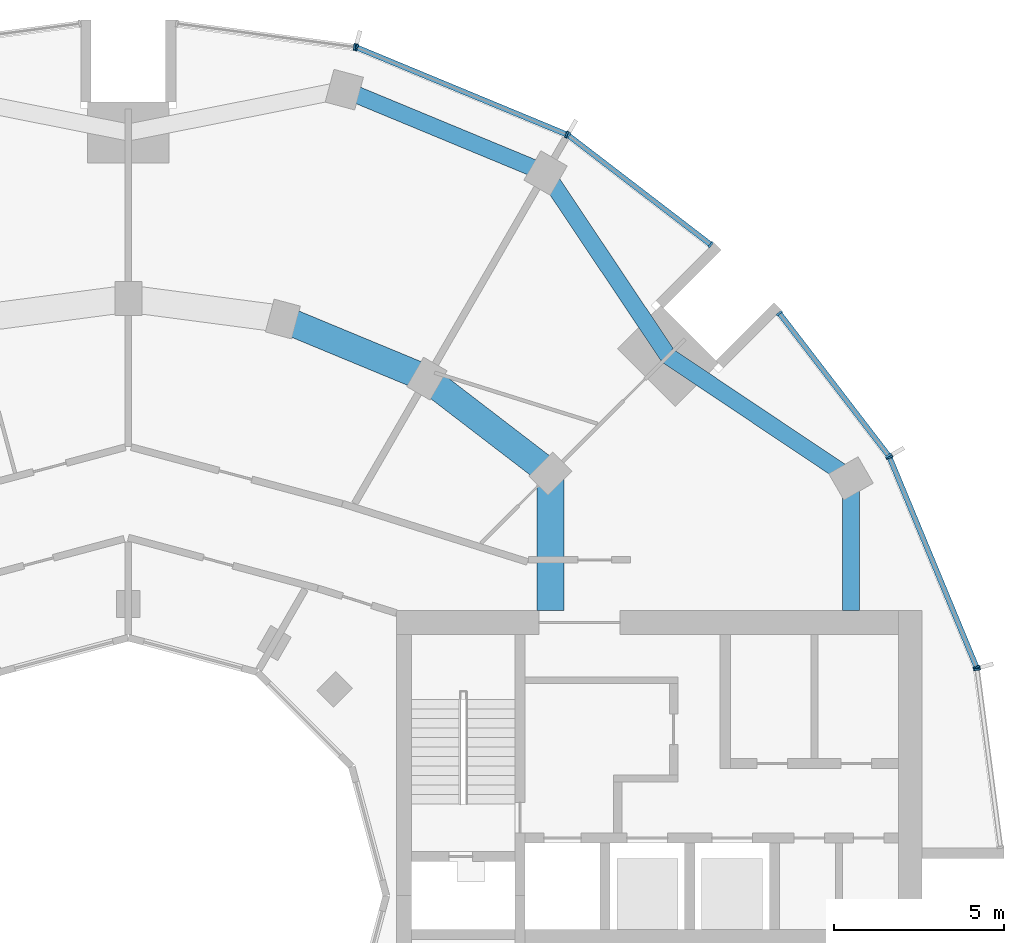
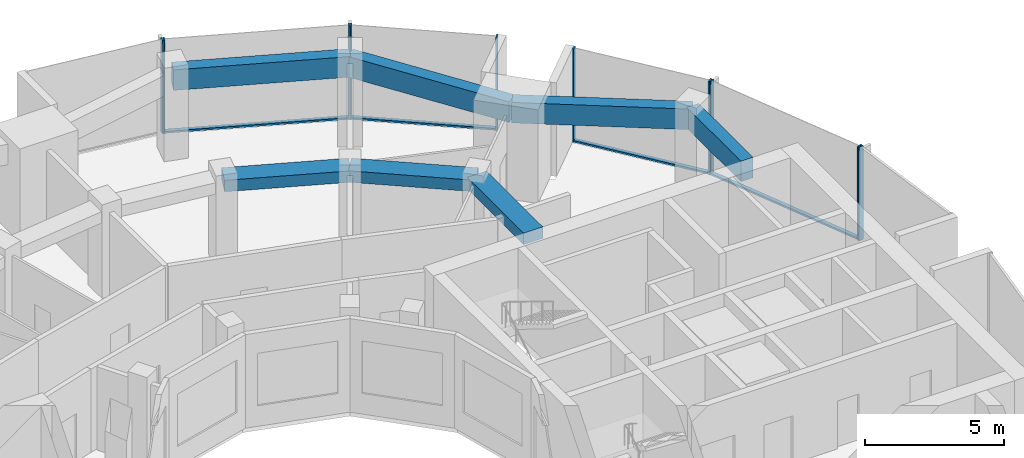
# One storey, part 6 of 15: 14 members, 7 beams, 6 elements without a shape of their own.
"""IFC4 building model written with IfcOpenShell, lengths in metres."""

from ifc_helpers import new_model, si_unit, direction, frame, origin, origin_2d, place, context, subcontext, project, spatial, rectangle, extrude, material, layer, layer_set, material_profile, profile_set, type_object, element, aggregate, save


model = new_model("IFC4")

# Units and contexts
model_context = context("Model", 3, precision=1e-05, world=origin(), true_north=direction((0.0, 1.0)))
body_context = subcontext(model_context, "Body", "Model", "MODEL_VIEW")
ifc_project = project(units=[si_unit("LENGTHUNIT", "METRE"), si_unit("AREAUNIT", "SQUARE_METRE"), si_unit("VOLUMEUNIT", "CUBIC_METRE"), si_unit("PLANEANGLEUNIT", "RADIAN"), si_unit("MASSUNIT", "GRAM", prefix="KILO")], contexts=[model_context])

# Site, building, storey
site_placement = place(None, origin())
site = spatial("IfcSite", under=ifc_project, at=site_placement, CompositionType="ELEMENT")
building_placement = place(site_placement, origin())
building = spatial("IfcBuilding", under=site, at=building_placement, Name="Torre Brocal", CompositionType="ELEMENT")
storey_placement = place(building_placement, frame((0.0, 0.0, 157.699951171875)))
storey = spatial("IfcBuildingStorey", under=building, at=storey_placement, Name="L36", CompositionType="ELEMENT", Elevation=157.699951171875)

# Curtain wall, members
ifc_material_1 = material(Name="Aluminium and glass", Category="aluminium")
ifc_layer_1 = layer(ifc_material_1, 0.199951171875)
ifc_layer_set_1 = layer_set([ifc_layer_1], Name="Aluminium and glass")
curtain_wall_type_1 = type_object("IfcCurtainWallType", Name="CW-1 CURTAIN WALL 4100 HIGH", PredefinedType="NOTDEFINED", material=ifc_layer_set_1)
curtain_wall_1_placement = place(storey_placement, origin())
curtain_wall_1 = element("IfcCurtainWall", 1, at=curtain_wall_1_placement, inside=storey, type_object=curtain_wall_type_1, Name="CW-1 RUN 2", PredefinedType="NOTDEFINED")
ifc_material_2 = material(Name="Aluminium, dark anodised", Category="aluminium")
ifc_material_profile_1 = material_profile(ifc_material_2, rectangle(XDim=0.199951171875, YDim=0.06005859375, at=origin_2d()), Name="CW-1 MULLION 60X200")
ifc_profile_set_1 = profile_set([ifc_material_profile_1], Name="Aluminium, dark anodised")
member_type_1 = type_object("IfcMemberType", Name="CW-1 MULLION 60X200", PredefinedType="MULLION", material=ifc_profile_set_1)
member_1_placement = place(storey_placement, frame((105.005126953125, 81.73095703125, 0.0), z_axis=(0.0, 0.0, 1.0), x_axis=(-0.923879532525, -0.382683432333, 0.0)))
member_1 = element("IfcMember", 2, at=member_1_placement, type_object=member_type_1, Name="CW1-4 mullion 1", PredefinedType="MULLION", context=body_context, shape_type="SweptSolid", body=[
    extrude(rectangle(XDim=0.199951171875, YDim=0.06005859375, at=origin_2d()), origin(), (0.0, 0.0, 1.0), 4.10009765625),
])
member_2_placement = place(storey_placement, frame((102.440673828125, 87.921875, 0.0), z_axis=(0.0, 0.0, 1.0), x_axis=(-0.923879532525, -0.382683432333, 0.0)))
member_2 = element("IfcMember", 3, at=member_2_placement, type_object=member_type_1, Name="CW1-4 mullion 2", PredefinedType="MULLION", context=body_context, shape_type="SweptSolid", body=[
    extrude(rectangle(XDim=0.199951171875, YDim=0.06005859375, at=origin_2d()), origin(), (0.0, 0.0, 1.0), 4.10009765625),
])

curtain_wall_2_placement = place(storey_placement, origin())
curtain_wall_2 = element("IfcCurtainWall", 4, at=curtain_wall_2_placement, inside=storey, type_object=curtain_wall_type_1, Name="CW-1 RUN 3", PredefinedType="NOTDEFINED")
member_3_placement = place(storey_placement, frame((102.4111328125, 87.973388671875, 0.0), z_axis=(0.0, 0.0, 1.0), x_axis=(-0.793353340259, -0.60876142905, 0.0)))
member_3 = element("IfcMember", 5, at=member_3_placement, type_object=member_type_1, Name="CW1-4 mullion 1", PredefinedType="MULLION", context=body_context, shape_type="SweptSolid", body=[
    extrude(rectangle(XDim=0.199951171875, YDim=0.06005859375, at=origin_2d()), origin(), (0.0, 0.0, 1.0), 4.10009765625),
])
member_4_placement = place(storey_placement, frame((99.19140625, 92.16943359375, 0.0), z_axis=(0.0, 0.0, 1.0), x_axis=(-0.793353340259, -0.60876142905, 0.0)))
member_4 = element("IfcMember", 6, at=member_4_placement, type_object=member_type_1, Name="CW1-4 mullion 2", PredefinedType="MULLION", context=body_context, shape_type="SweptSolid", body=[
    extrude(rectangle(XDim=0.199951171875, YDim=0.06005859375, at=origin_2d()), origin(), (0.0, 0.0, 1.0), 4.10009765625),
])

curtain_wall_3_placement = place(storey_placement, origin())
curtain_wall_3 = element("IfcCurtainWall", 7, at=curtain_wall_3_placement, inside=storey, type_object=curtain_wall_type_1, Name="CW-1 RUN 4", PredefinedType="NOTDEFINED")
member_5_placement = place(storey_placement, frame((97.16943359375, 94.19140625, 0.0), z_axis=(0.0, 0.0, 1.0), x_axis=(-0.60876142905, -0.793353340259, 0.0)))
member_5 = element("IfcMember", 8, at=member_5_placement, type_object=member_type_1, Name="CW1-4 mullion 1", PredefinedType="MULLION", context=body_context, shape_type="SweptSolid", body=[
    extrude(rectangle(XDim=0.199951171875, YDim=0.06005859375, at=origin_2d()), origin(), (0.0, 0.0, 1.0), 4.10009765625),
])
member_6_placement = place(storey_placement, frame((92.973388671875, 97.4111328125, 0.0), z_axis=(0.0, 0.0, 1.0), x_axis=(-0.60876142905, -0.793353340259, 0.0)))
member_6 = element("IfcMember", 9, at=member_6_placement, type_object=member_type_1, Name="CW1-4 mullion 2", PredefinedType="MULLION", context=body_context, shape_type="SweptSolid", body=[
    extrude(rectangle(XDim=0.199951171875, YDim=0.06005859375, at=origin_2d()), origin(), (0.0, 0.0, 1.0), 4.10009765625),
])

curtain_wall_4_placement = place(storey_placement, origin())
curtain_wall_4 = element("IfcCurtainWall", 10, at=curtain_wall_4_placement, inside=storey, type_object=curtain_wall_type_1, Name="CW-1 RUN 5", PredefinedType="NOTDEFINED")
member_7_placement = place(storey_placement, frame((92.921875, 97.440673828125, 0.0), z_axis=(0.0, 0.0, 1.0), x_axis=(-0.382683432333, -0.923879532525, 0.0)))
member_7 = element("IfcMember", 11, at=member_7_placement, type_object=member_type_1, Name="CW1-4 mullion 1", PredefinedType="MULLION", context=body_context, shape_type="SweptSolid", body=[
    extrude(rectangle(XDim=0.199951171875, YDim=0.06005859375, at=origin_2d()), origin(), (0.0, 0.0, 1.0), 4.10009765625),
])
member_8_placement = place(storey_placement, frame((86.73095703125, 100.005126953125, 0.0), z_axis=(0.0, 0.0, 1.0), x_axis=(-0.382683432333, -0.923879532525, 0.0)))
member_8 = element("IfcMember", 12, at=member_8_placement, type_object=member_type_1, Name="CW1-4 mullion 2", PredefinedType="MULLION", context=body_context, shape_type="SweptSolid", body=[
    extrude(rectangle(XDim=0.199951171875, YDim=0.06005859375, at=origin_2d()), origin(), (0.0, 0.0, 1.0), 4.10009765625),
])

# Curtain wall, member
curtain_wall_5_placement = place(storey_placement, origin())
curtain_wall_5 = element("IfcCurtainWall", 13, at=curtain_wall_5_placement, inside=storey, type_object=curtain_wall_type_1, Name="CW-1 RUN 6", PredefinedType="NOTDEFINED")
member_9_placement = place(storey_placement, frame((86.67333984375, 100.0205078125, 0.0), z_axis=(0.0, 0.0, 1.0), x_axis=(-0.13052619222, -0.991444861374, 0.0)))
member_9 = element("IfcMember", 14, at=member_9_placement, type_object=member_type_1, Name="CW1-4 mullion 1", PredefinedType="MULLION", context=body_context, shape_type="SweptSolid", body=[
    extrude(rectangle(XDim=0.199951171875, YDim=0.06005859375, at=origin_2d()), origin(), (0.0, 0.0, 1.0), 4.10009765625),
])
aggregate(curtain_wall_5, [member_9])

# Member
ifc_material_3 = material(Name="Aluminium, dark anodised", Category="aluminium")
ifc_material_profile_2 = material_profile(ifc_material_3, rectangle(XDim=0.159912109375, YDim=0.080078125, at=origin_2d()), Name="CW-1 TRANSOM 160X80")
ifc_profile_set_2 = profile_set([ifc_material_profile_2], Name="Aluminium, dark anodised")
member_type_2 = type_object("IfcMemberType", Name="CW-1 TRANSOM 160X80", PredefinedType="USERDEFINED", material=ifc_profile_set_2)
member_10_placement = place(storey_placement, frame((104.99365234375, 81.758544921875, 0.0400390625), z_axis=(-0.38266457234, 0.923887344364, 0.0), x_axis=(-0.923887344364, -0.38266457234, 0.0)))
member_10 = element("IfcMember", 15, at=member_10_placement, type_object=member_type_2, Name="CW1-4 transom 1.1", ObjectType="TRANSOM", PredefinedType="USERDEFINED", context=body_context, shape_type="SweptSolid", body=[
    extrude(rectangle(XDim=0.159912109375, YDim=0.080078125, at=origin_2d()), origin(), (0.0, 0.0, 1.0), 6.640869140625),
])

aggregate(curtain_wall_1, [member_1, member_2, member_10])

member_11_placement = place(storey_placement, frame((102.392822265625, 87.9970703125, 0.0400390625), z_axis=(-0.60874908096, 0.79336281513, 0.0), x_axis=(-0.79336281513, -0.60874908096, 0.0)))
member_11 = element("IfcMember", 16, at=member_11_placement, type_object=member_type_2, Name="CW1-4 transom 1.1", ObjectType="TRANSOM", PredefinedType="USERDEFINED", context=body_context, shape_type="SweptSolid", body=[
    extrude(rectangle(XDim=0.159912109375, YDim=0.080078125, at=origin_2d()), origin(), (0.0, 0.0, 1.0), 5.22900390625),
])

aggregate(curtain_wall_2, [member_3, member_4, member_11])

member_12_placement = place(storey_placement, frame((97.1455078125, 94.209716796875, 0.0400390625), z_axis=(-0.79336281513, 0.60874908096, 0.0), x_axis=(-0.60874908096, -0.79336281513, 0.0)))
member_12 = element("IfcMember", 17, at=member_12_placement, type_object=member_type_2, Name="CW1-4 transom 1.1", ObjectType="TRANSOM", PredefinedType="USERDEFINED", context=body_context, shape_type="SweptSolid", body=[
    extrude(rectangle(XDim=0.159912109375, YDim=0.080078125, at=origin_2d()), origin(), (0.0, 0.0, 1.0), 5.22900390625),
])

aggregate(curtain_wall_3, [member_5, member_6, member_12])

member_13_placement = place(storey_placement, frame((92.89404296875, 97.452392578125, 0.0400390625), z_axis=(-0.923887344364, 0.38266457234, 0.0), x_axis=(-0.38266457234, -0.923887344364, 0.0)))
member_13 = element("IfcMember", 18, at=member_13_placement, type_object=member_type_2, Name="CW1-4 transom 1.1", ObjectType="TRANSOM", PredefinedType="USERDEFINED", context=body_context, shape_type="SweptSolid", body=[
    extrude(rectangle(XDim=0.159912109375, YDim=0.080078125, at=origin_2d()), origin(), (0.0, 0.0, 1.0), 6.640869140625),
])

aggregate(curtain_wall_4, [member_7, member_8, member_13])

# Curtain wall, member
ifc_material_4 = material(Name="Aluminium and glass", Category="aluminium")
ifc_layer_2 = layer(ifc_material_4, 0.199951171875)
ifc_layer_set_2 = layer_set([ifc_layer_2], Name="Aluminium and glass")
curtain_wall_type_2 = type_object("IfcCurtainWallType", Name="CW-1B CURTAIN WALL 4100 HIGH", PredefinedType="NOTDEFINED", material=ifc_layer_set_2)
curtain_wall_6_placement = place(storey_placement, origin())
curtain_wall_6 = element("IfcCurtainWall", 19, at=curtain_wall_6_placement, inside=storey, type_object=curtain_wall_type_2, Name="CW-1B RUN 1", PredefinedType="NOTDEFINED")
ifc_material_5 = material(Name="Aluminium, dark anodised", Category="aluminium")
ifc_material_profile_3 = material_profile(ifc_material_5, rectangle(XDim=0.199951171875, YDim=0.06005859375, at=origin_2d()), Name="CW-1B MULLION 60X200")
ifc_profile_set_3 = profile_set([ifc_material_profile_3], Name="Aluminium, dark anodised")
member_type_3 = type_object("IfcMemberType", Name="CW-1B MULLION 60X200", PredefinedType="MULLION", material=ifc_profile_set_3)
member_14_placement = place(storey_placement, frame((105.0205078125, 81.67333984375, 0.0), z_axis=(0.0, 0.0, 1.0), x_axis=(-0.991444861374, -0.13052619222, 0.0)))
member_14 = element("IfcMember", 20, at=member_14_placement, type_object=member_type_3, Name="CW1B-4 mullion 2", PredefinedType="MULLION", context=body_context, shape_type="SweptSolid", body=[
    extrude(rectangle(XDim=0.199951171875, YDim=0.06005859375, at=origin_2d()), origin(), (0.0, 0.0, 1.0), 4.10009765625),
])
aggregate(curtain_wall_6, [member_14])

# Beams
ifc_material_6 = material(Name="Concrete C50", Category="concrete")
ifc_material_profile_4 = material_profile(ifc_material_6, rectangle(XDim=0.800048828125, YDim=0.5, at=origin_2d()), Name="RC 800X500")
ifc_profile_set_4 = profile_set([ifc_material_profile_4], Name="Concrete C50")
beam_type_1 = type_object("IfcBeamType", Name="RC BEAM 800X500 C50 TOP 3780", PredefinedType="BEAM", material=ifc_profile_set_4)
beam_1_placement = place(storey_placement, frame((92.445068359375, 87.445068359375, 3.530029296875), z_axis=(-0.793358265959, 0.6087550097, 0.0), x_axis=(-0.6087550097, -0.793358265959, 0.0)))
element("IfcBeam", 21, at=beam_1_placement, inside=storey, type_object=beam_type_1, Name="Beam BT-32", PredefinedType="BEAM", context=body_context, shape_type="SweptSolid", body=[
    extrude(rectangle(XDim=0.800048828125, YDim=0.5, at=origin_2d()), origin(), (0.0, 0.0, 1.0), 4.594482421875),
])
beam_2_placement = place(storey_placement, frame((88.800048828125, 90.241943359375, 3.530029296875), z_axis=(-0.923878240166, 0.382686552348, 0.0), x_axis=(-0.382686552348, -0.923878240166, 0.0)))
element("IfcBeam", 22, at=beam_2_placement, inside=storey, type_object=beam_type_1, Name="Beam BT-32", PredefinedType="BEAM", context=body_context, shape_type="SweptSolid", body=[
    extrude(rectangle(XDim=0.800048828125, YDim=0.5, at=origin_2d()), origin(), (0.0, 0.0, 1.0), 4.5947265625),
])
beam_3_placement = place(storey_placement, frame((92.445068359375, 87.445068359375, 3.530029296875), z_axis=(0.0, -1.0, 0.0), x_axis=(1.0, 0.0, 0.0)))
element("IfcBeam", 23, at=beam_3_placement, inside=storey, type_object=beam_type_1, Name="Beam BT-32", PredefinedType="BEAM", context=body_context, shape_type="SweptSolid", body=[
    extrude(rectangle(XDim=0.800048828125, YDim=0.5, at=origin_2d()), origin(), (0.0, 0.0, 1.0), 4.045166015625),
])
ifc_material_7 = material(Name="Concrete C50", Category="concrete")
ifc_material_profile_5 = material_profile(ifc_material_7, rectangle(XDim=0.5, YDim=0.89990234375, at=origin_2d()), Name="RC 500X900")
ifc_profile_set_5 = profile_set([ifc_material_profile_5], Name="Concrete C50")
beam_type_2 = type_object("IfcBeamType", Name="RC SPANDREL BEAM 500X900 C50 TOP 3780", PredefinedType="SPANDREL", material=ifc_profile_set_5)
for number, where, z_axis, x_axis, name in (
    (24, (101.30419921875, 87.300048828125, 3.330078125), (-0.831076844476, 0.556157602282, 0.0), (-0.556157602282, -0.831076844476, 0.0), "Beam BT-33"),
    (25, (95.909912109375, 90.909912109375, 3.330078125), (-0.556157602282, 0.831076844476, 0.0), (-0.831076844476, -0.556157602282, 0.0), "Beam BT-33"),
):
    element("IfcBeam", number, at=place(storey_placement, frame(where, z_axis=z_axis, x_axis=x_axis)), inside=storey, type_object=beam_type_2, Name=name, PredefinedType="SPANDREL", context=body_context, shape_type="SweptSolid", body=[
        extrude(rectangle(XDim=0.5, YDim=0.89990234375, at=origin_2d()), origin(), (0.0, 0.0, 1.0), 6.49072265625),
    ])
beam_4_placement = place(storey_placement, frame((92.300048828125, 96.30419921875, 3.330078125), z_axis=(-0.923882462513, 0.382676358639, 0.0), x_axis=(-0.382676358639, -0.923882462513, 0.0)))
element("IfcBeam", 26, at=beam_4_placement, inside=storey, type_object=beam_type_2, Name="Beam BT-33", PredefinedType="SPANDREL", context=body_context, shape_type="SweptSolid", body=[
    extrude(rectangle(XDim=0.5, YDim=0.89990234375, at=origin_2d()), origin(), (0.0, 0.0, 1.0), 6.421875),
])
beam_5_placement = place(storey_placement, frame((101.30419921875, 87.300048828125, 3.330078125), z_axis=(0.0, -1.0, 0.0), x_axis=(1.0, 0.0, 0.0)))
element("IfcBeam", 27, at=beam_5_placement, inside=storey, type_object=beam_type_2, Name="Beam BT-33", PredefinedType="SPANDREL", context=body_context, shape_type="SweptSolid", body=[
    extrude(rectangle(XDim=0.5, YDim=0.89990234375, at=origin_2d()), origin(), (0.0, 0.0, 1.0), 3.900146484375),
])

save(model, "model.ifc")
